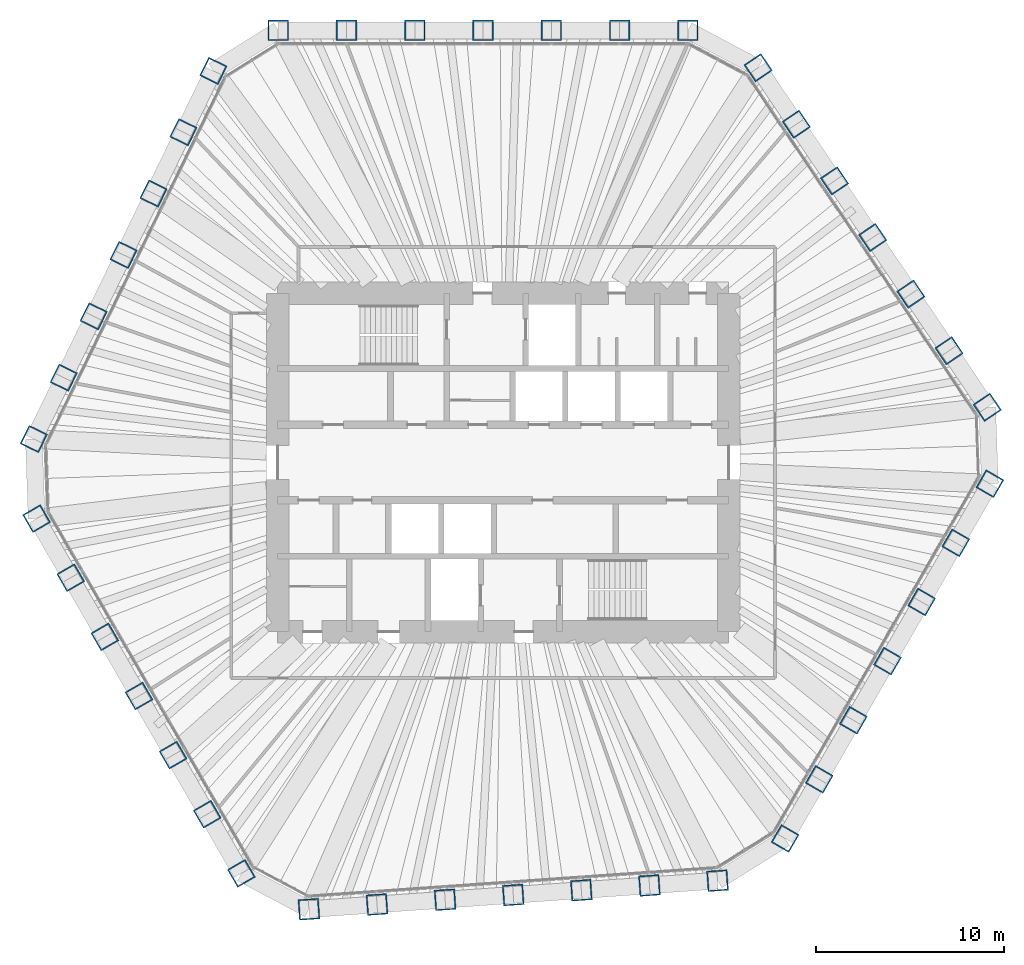
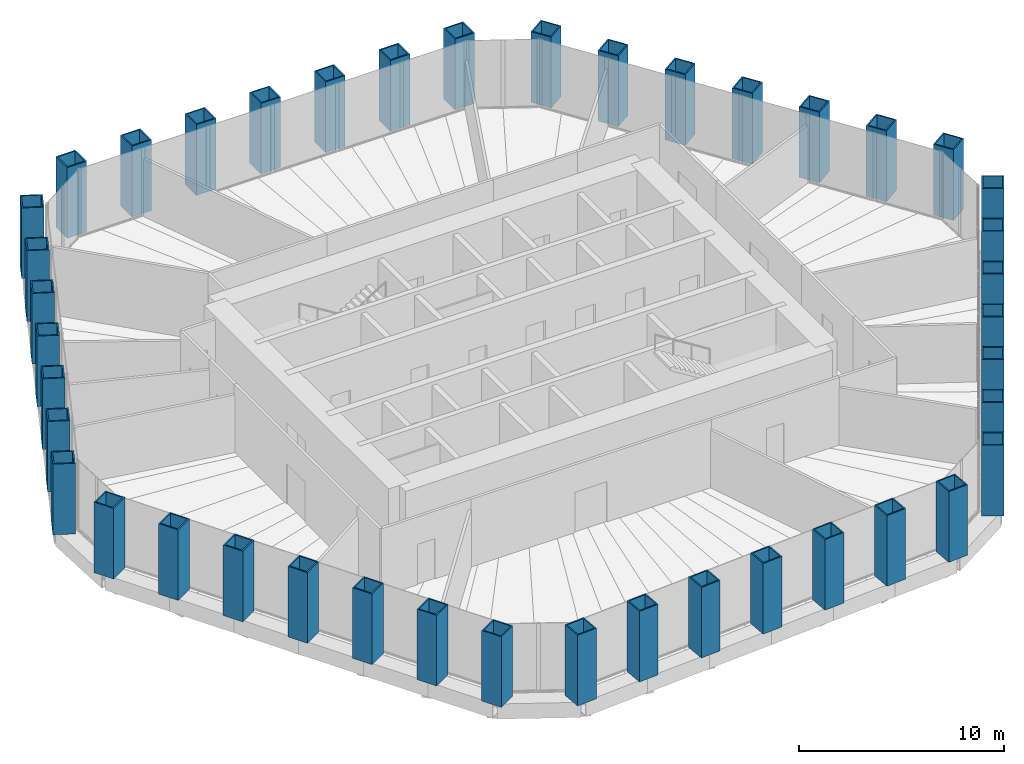
# One storey, part 1 of 12: 42 columns.
"""IFC4 building model written with IfcOpenShell, lengths in metres."""

from ifc_helpers import new_model, si_unit, direction, frame, origin, origin_2d, place, context, subcontext, project, spatial, hollow_rectangle, extrude, material, material_profile, profile_set, type_object, element, save


model = new_model("IFC4")

# Units and contexts
model_context = context("Model", 3, precision=1e-05, world=origin(), true_north=direction((0.0, 1.0)))
body_context = subcontext(model_context, "Body", "Model", "MODEL_VIEW")
ifc_project = project(units=[si_unit("LENGTHUNIT", "METRE"), si_unit("AREAUNIT", "SQUARE_METRE"), si_unit("VOLUMEUNIT", "CUBIC_METRE"), si_unit("PLANEANGLEUNIT", "RADIAN"), si_unit("MASSUNIT", "GRAM", prefix="KILO")], contexts=[model_context])

# Site, building, storey
site_placement = place(None, origin())
site = spatial("IfcSite", under=ifc_project, at=site_placement, CompositionType="ELEMENT")
building_placement = place(site_placement, origin())
building = spatial("IfcBuilding", under=site, at=building_placement, Name="Qingtian Harvest Tower", CompositionType="ELEMENT")
storey_placement = place(building_placement, frame((0.0, 0.0, 184.60009765625)))
storey = spatial("IfcBuildingStorey", under=building, at=storey_placement, Name="L39", CompositionType="ELEMENT", Elevation=184.60009765625)

# Columns
ifc_material = material(Name="Steel SM570MC", Category="steel")
ifc_material_profile = material_profile(ifc_material, hollow_rectangle(XDim=1.10009765625, YDim=1.10009765625, WallThickness=0.070068359375, at=origin_2d()), Name="BOX1100x1100x70")
ifc_profile_set = profile_set([ifc_material_profile], Name="Steel SM570MC")
column_type = type_object("IfcColumnType", Name="Tube column TC5 BOX1100x1100x70", PredefinedType="COLUMN", material=ifc_profile_set)
for number, where, z_axis, x_axis, name in (
    (1, (-11.971923828125, 23.0, 0.0), (0.0, 0.0, 1.0), (-1.0, 0.0, 0.0), "Tube column TC5 N0"),
    (2, (-8.33837890625, 23.0, 0.0), (0.0, 0.0, 1.0), (-1.0, 0.0, 0.0), "Tube column TC5 N1"),
    (3, (-4.704833984375, 23.0, 0.0), (0.0, 0.0, 1.0), (-1.0, 0.0, 0.0), "Tube column TC5 N2"),
    (4, (-1.0712890625, 23.0, 0.0), (0.0, 0.0, 1.0), (-1.0, 0.0, 0.0), "Tube column TC5 N3"),
    (5, (2.562255859375, 23.0, 0.0), (0.0, 0.0, 1.0), (-1.0, 0.0, 0.0), "Tube column TC5 N4"),
    (6, (6.19580078125, 23.0, 0.0), (0.0, 0.0, 1.0), (-1.0, 0.0, 0.0), "Tube column TC5 N5"),
    (7, (9.829345703125, 23.0, 0.0), (0.0, 0.0, 1.0), (-1.0, 0.0, 0.0), "Tube column TC5 N6"),
    (8, (13.5712890625, 21.01025390625, 0.0), (0.0, 0.0, 1.0), (-0.559192903471, 0.829037572555, 0.0), "Tube column TC5 NE0"),
    (9, (15.603271484375, 17.998046875, 0.0), (0.0, 0.0, 1.0), (-0.559192903471, 0.829037572555, 0.0), "Tube column TC5 NE1"),
    (10, (17.635009765625, 14.985595703125, 0.0), (0.0, 0.0, 1.0), (-0.559192903471, 0.829037572555, 0.0), "Tube column TC5 NE2"),
    (11, (19.6669921875, 11.97314453125, 0.0), (0.0, 0.0, 1.0), (-0.559192903471, 0.829037572555, 0.0), "Tube column TC5 NE3"),
    (12, (21.69873046875, 8.9609375, 0.0), (0.0, 0.0, 1.0), (-0.559192903471, 0.829037572555, 0.0), "Tube column TC5 NE4"),
    (13, (23.730712890625, 5.948486328125, 0.0), (0.0, 0.0, 1.0), (-0.559192903471, 0.829037572555, 0.0), "Tube column TC5 NE5"),
    (14, (25.762451171875, 2.936279296875, 0.0), (0.0, 0.0, 1.0), (-0.559192903471, 0.829037572555, 0.0), "Tube column TC5 NE6"),
    (15, (25.904541015625, -1.1318359375, 0.0), (0.0, 0.0, 1.0), (0.5, 0.866025403784, 0.0), "Tube column TC5 SE0"),
    (16, (24.087890625, -4.27880859375, 0.0), (0.0, 0.0, 1.0), (0.5, 0.866025403784, 0.0), "Tube column TC5 SE1"),
    (17, (22.27099609375, -7.425537109375, 0.0), (0.0, 0.0, 1.0), (0.5, 0.866025403784, 0.0), "Tube column TC5 SE2"),
    (18, (20.454345703125, -10.572265625, 0.0), (0.0, 0.0, 1.0), (0.5, 0.866025403784, 0.0), "Tube column TC5 SE3"),
    (19, (18.637451171875, -13.718994140625, 0.0), (0.0, 0.0, 1.0), (0.5, 0.866025403784, 0.0), "Tube column TC5 SE4"),
    (20, (16.82080078125, -16.86572265625, 0.0), (0.0, 0.0, 1.0), (0.5, 0.866025403784, 0.0), "Tube column TC5 SE5"),
    (21, (15.00390625, -20.012451171875, 0.0), (0.0, 0.0, 1.0), (0.5, 0.866025403784, 0.0), "Tube column TC5 SE6"),
    (22, (11.40966796875, -22.25830078125, 0.0), (0.0, 0.0, 1.0), (0.99756405026, 0.069756473744, 0.0), "Tube column TC5 S0"),
    (23, (7.78515625, -22.51171875, 0.0), (0.0, 0.0, 1.0), (0.99756405026, 0.069756473744, 0.0), "Tube column TC5 S1"),
    (24, (4.160400390625, -22.76513671875, 0.0), (0.0, 0.0, 1.0), (0.99756405026, 0.069756473744, 0.0), "Tube column TC5 S2"),
    (25, (0.53564453125, -23.018798828125, 0.0), (0.0, 0.0, 1.0), (0.99756405026, 0.069756473744, 0.0), "Tube column TC5 S3"),
    (26, (-3.089111328125, -23.272216796875, 0.0), (0.0, 0.0, 1.0), (0.99756405026, 0.069756473744, 0.0), "Tube column TC5 S4"),
    (27, (-6.713623046875, -23.525634765625, 0.0), (0.0, 0.0, 1.0), (0.99756405026, 0.069756473744, 0.0), "Tube column TC5 S5"),
    (28, (-10.33837890625, -23.779052734375, 0.0), (0.0, 0.0, 1.0), (0.99756405026, 0.069756473744, 0.0), "Tube column TC5 S6"),
    (29, (-13.9326171875, -21.8681640625, 0.0), (0.0, 0.0, 1.0), (0.5, -0.866025403784, 0.0), "Tube column TC5 SW0"),
    (30, (-15.749267578125, -18.72119140625, 0.0), (0.0, 0.0, 1.0), (0.5, -0.866025403784, 0.0), "Tube column TC5 SW1"),
    (31, (-17.566162109375, -15.574462890625, 0.0), (0.0, 0.0, 1.0), (0.5, -0.866025403784, 0.0), "Tube column TC5 SW2"),
    (32, (-19.3828125, -12.427734375, 0.0), (0.0, 0.0, 1.0), (0.5, -0.866025403784, 0.0), "Tube column TC5 SW3"),
    (33, (-21.19970703125, -9.281005859375, 0.0), (0.0, 0.0, 1.0), (0.5, -0.866025403784, 0.0), "Tube column TC5 SW4"),
    (34, (-23.016357421875, -6.13427734375, 0.0), (0.0, 0.0, 1.0), (0.5, -0.866025403784, 0.0), "Tube column TC5 SW5"),
    (35, (-24.833251953125, -2.987548828125, 0.0), (0.0, 0.0, 1.0), (0.5, -0.866025403784, 0.0), "Tube column TC5 SW6"),
    (36, (-24.981201171875, 1.248046875, 0.0), (0.0, 0.0, 1.0), (-0.438371146789, -0.898794046299, 0.0), "Tube column TC5 NW0"),
    (37, (-23.388427734375, 4.513916015625, 0.0), (0.0, 0.0, 1.0), (-0.438371146789, -0.898794046299, 0.0), "Tube column TC5 NW1"),
    (38, (-21.79541015625, 7.779541015625, 0.0), (0.0, 0.0, 1.0), (-0.438371146789, -0.898794046299, 0.0), "Tube column TC5 NW2"),
    (39, (-20.20263671875, 11.04541015625, 0.0), (0.0, 0.0, 1.0), (-0.438371146789, -0.898794046299, 0.0), "Tube column TC5 NW3"),
    (40, (-18.60986328125, 14.311279296875, 0.0), (0.0, 0.0, 1.0), (-0.438371146789, -0.898794046299, 0.0), "Tube column TC5 NW4"),
    (41, (-17.016845703125, 17.5771484375, 0.0), (0.0, 0.0, 1.0), (-0.438371146789, -0.898794046299, 0.0), "Tube column TC5 NW5"),
    (42, (-15.424072265625, 20.8427734375, 0.0), (0.0, 0.0, 1.0), (-0.438371146789, -0.898794046299, 0.0), "Tube column TC5 NW6"),
):
    element("IfcColumn", number, at=place(storey_placement, frame(where, z_axis=z_axis, x_axis=x_axis)), inside=storey, type_object=column_type, Name=name, PredefinedType="COLUMN", context=body_context, shape_type="SweptSolid", body=[
        extrude(hollow_rectangle(XDim=1.10009765625, YDim=1.10009765625, WallThickness=0.070068359375, at=origin_2d()), origin(), (0.0, 0.0, 1.0), 4.199951171875),
    ])

save(model, "model.ifc")
